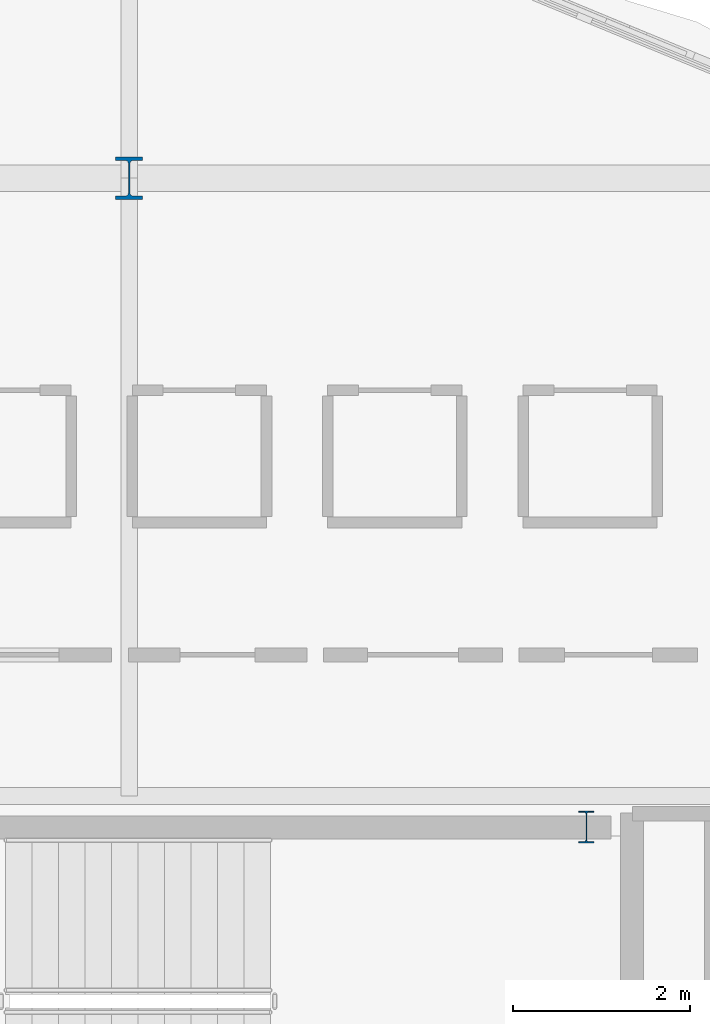
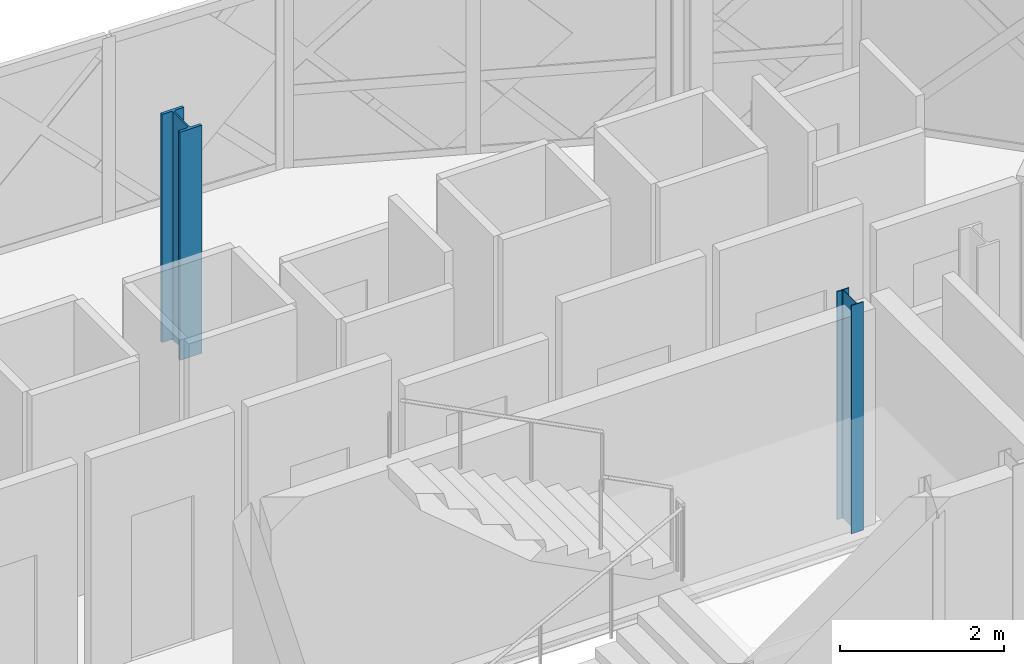
# One storey, part 4 of 40: 2 columns.
"""IFC4 building model written with IfcOpenShell, lengths in metres."""

from ifc_helpers import new_model, si_unit, direction, frame, origin, origin_2d, place, context, subcontext, project, spatial, i_section, extrude, material, material_profile, profile_set, type_object, element, save


model = new_model("IFC4")

# Units and contexts
model_context = context("Model", 3, precision=1e-05, world=origin(), true_north=direction((0.0, 1.0)))
body_context = subcontext(model_context, "Body", "Model", "MODEL_VIEW")
ifc_project = project(units=[si_unit("LENGTHUNIT", "METRE"), si_unit("AREAUNIT", "SQUARE_METRE"), si_unit("VOLUMEUNIT", "CUBIC_METRE"), si_unit("PLANEANGLEUNIT", "RADIAN"), si_unit("MASSUNIT", "GRAM", prefix="KILO")], contexts=[model_context])

# Site, building, storey
site_placement = place(None, origin())
site = spatial("IfcSite", under=ifc_project, at=site_placement, CompositionType="ELEMENT")
building_placement = place(site_placement, origin())
building = spatial("IfcBuilding", under=site, at=building_placement, Name="Zevrakil Square Congress Hotel", CompositionType="ELEMENT")
storey_placement = place(building_placement, frame((0.0, 0.0, 18.10009765625)))
storey = spatial("IfcBuildingStorey", under=building, at=storey_placement, Name="L05", CompositionType="ELEMENT", Elevation=18.10009765625)

# Columns
ifc_material_1 = material(Name="Steel S355", Category="steel")
ifc_material_profile_1 = material_profile(ifc_material_1, i_section(OverallWidth=0.306884765625, OverallDepth=0.47802734375, WebThickness=0.02099609375, FlangeThickness=0.0400390625, FilletRadius=0.027099609375, at=origin_2d()), Name="HEM 450")
ifc_profile_set_1 = profile_set([ifc_material_profile_1], Name="Steel S355")
column_type_1 = type_object("IfcColumnType", Name="COL-HEM450", PredefinedType="COLUMN", material=ifc_profile_set_1)
column_1_placement = place(storey_placement, frame((148.800048828125, 45.60009765625, 0.0), z_axis=(0.0, 0.0, 1.0), x_axis=(1.0, 0.0, 0.0)))
element("IfcColumn", 1, at=column_1_placement, inside=storey, type_object=column_type_1, Name="L05 drum column DC10", PredefinedType="COLUMN", context=body_context, shape_type="SweptSolid", body=[
    extrude(i_section(OverallWidth=0.306884765625, OverallDepth=0.47802734375, WebThickness=0.02099609375, FlangeThickness=0.0400390625, FilletRadius=0.027099609375, at=origin_2d()), origin(), (0.0, 0.0, 1.0), 3.39990234375),
])
ifc_material_2 = material(Name="Steel S355", Category="steel")
ifc_material_profile_2 = material_profile(ifc_material_2, i_section(OverallWidth=0.169921875, OverallDepth=0.360107421875, WebThickness=0.008056640625, FlangeThickness=0.0126953125, FilletRadius=0.01806640625, at=origin_2d()), Name="IPE 360")
ifc_profile_set_2 = profile_set([ifc_material_profile_2], Name="Steel S355")
column_type_2 = type_object("IfcColumnType", Name="COL-PILASTER-SHS180", PredefinedType="PILASTER", material=ifc_profile_set_2)
column_2_placement = place(storey_placement, frame((153.97998046875, 38.25, 0.0), z_axis=(0.0, 0.0, 1.0), x_axis=(1.0, 0.0, 0.0)))
element("IfcColumn", 2, at=column_2_placement, inside=storey, type_object=column_type_2, Name="L05 ST03 stair shaft post 3", PredefinedType="PILASTER", context=body_context, shape_type="SweptSolid", body=[
    extrude(i_section(OverallWidth=0.169921875, OverallDepth=0.360107421875, WebThickness=0.008056640625, FlangeThickness=0.0126953125, FilletRadius=0.01806640625, at=origin_2d()), origin(), (0.0, 0.0, 1.0), 3.39990234375),
])

save(model, "model.ifc")
